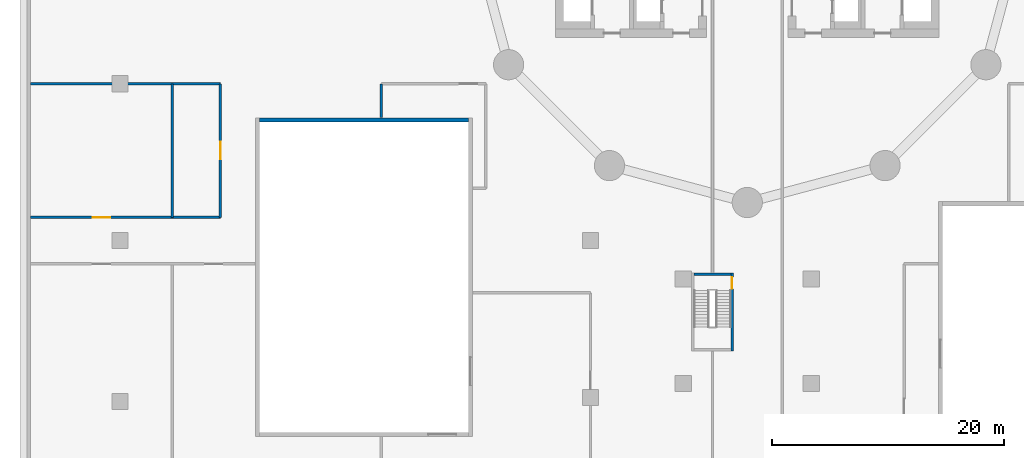
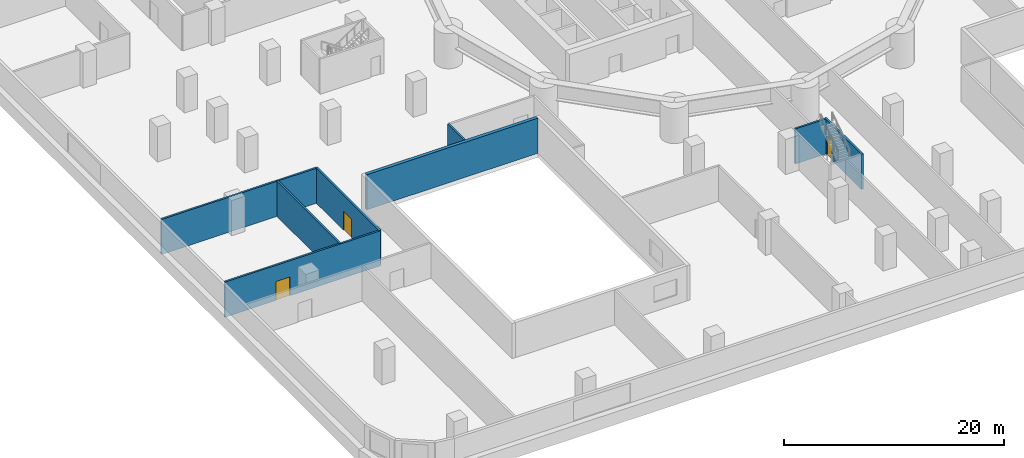
# One storey, part 3 of 16: 8 walls, 3 doors, 3 openings.
"""IFC4 building model written with IfcOpenShell, lengths in metres."""

from ifc_helpers import new_model, si_unit, direction, frame, frame_2d, origin, place, context, subcontext, project, spatial, rectangle, extrude, material, layer, layer_set, type_object, element, fill, save


model = new_model("IFC4")

# Units and contexts
model_context = context("Model", 3, precision=1e-05, world=origin(), true_north=direction((0.0, 1.0)))
body_context = subcontext(model_context, "Body", "Model", "MODEL_VIEW")
ifc_project = project(units=[si_unit("LENGTHUNIT", "METRE"), si_unit("AREAUNIT", "SQUARE_METRE"), si_unit("VOLUMEUNIT", "CUBIC_METRE"), si_unit("PLANEANGLEUNIT", "RADIAN"), si_unit("MASSUNIT", "GRAM", prefix="KILO")], contexts=[model_context])

# Site, building, storey
site_placement = place(None, origin())
site = spatial("IfcSite", under=ifc_project, at=site_placement, CompositionType="ELEMENT")
building_placement = place(site_placement, origin())
building = spatial("IfcBuilding", under=site, at=building_placement, Name="Tamarind Cross Interchange Tower", CompositionType="ELEMENT")
storey_placement = place(building_placement, frame((0.0, 0.0, 25.0)))
storey = spatial("IfcBuildingStorey", under=building, at=storey_placement, Name="L04", CompositionType="ELEMENT", Elevation=25.0)

# Wall, opening, door
ifc_material_1 = material(Name="Masonry partition, fire-rated", Category="masonry")
ifc_layer_1 = layer(ifc_material_1, 0.199951171875)
ifc_layer_set_1 = layer_set([ifc_layer_1], Name="Masonry partition, fire-rated")
wall_type_1 = type_object("IfcWallType", Name="Fire partition 200 EI 120", PredefinedType="PARTITIONING", material=ifc_layer_set_1)
wall_1_placement = place(storey_placement, frame((-61.698974609375, -25.0, 0.0), z_axis=(0.0, 0.0, 1.0), x_axis=(1.0, 0.0, 0.0)))
wall_1 = element("IfcWall", 1, at=wall_1_placement, inside=storey, type_object=wall_type_1, Name="L04 partition 6", PredefinedType="PARTITIONING", context=body_context, shape_type="SweptSolid", body=[
    extrude(rectangle(XDim=16.348876953125, YDim=0.199951171875, at=frame_2d((8.17431640625, 0.0))), origin(), (0.0, 0.0, 1.0), 3.89990234375),
])
opening_1_placement = place(wall_1_placement, frame((5.34912109375, 0.0, 0.0)))
opening_1 = element("IfcOpeningElement", 2, at=opening_1_placement, cuts=wall_1, Name="Opening DL04-16", PredefinedType="OPENING", context=body_context, shape_type="SweptSolid", body=[
    extrude(rectangle(XDim=1.5, YDim=2.10009765625, at=frame_2d((0.75, 1.050048828125))), frame((0.0, 0.10986328125, 0.0), z_axis=(0.0, -1.0, 0.0), x_axis=(1.0, 0.0, 0.0)), (0.0, 0.0, 1.0), 0.219970703125),
])
ifc_material_2 = material(Name="Steel, fire-resisting", Category="steel")
door_type_1 = type_object("IfcDoorType", Name="Podium door 1500 x 2100 FD90", OperationType="SINGLE_SWING_LEFT", PredefinedType="DOOR", material=ifc_material_2)
door_1_placement = place(opening_1_placement, origin())
door_1 = element("IfcDoor", 3, at=door_1_placement, inside=storey, type_object=door_type_1, Name="L04 door Smoke Extract Plant Room 0416", OperationType="SINGLE_SWING_RIGHT", OverallHeight=2.10009765625, OverallWidth=1.5, PredefinedType="DOOR", context=body_context, shape_type="SweptSolid", body=[
    extrude(rectangle(XDim=1.5, YDim=2.10009765625, at=frame_2d((0.75, 1.050048828125))), frame((0.0, 0.02490234375, 0.0), z_axis=(0.0, -1.0, 0.0), x_axis=(1.0, 0.0, 0.0)), (0.0, 0.0, 1.0), 0.050048828125),
])
fill(opening_1, door_1)

# Walls
wall_2_placement = place(storey_placement, frame((-61.698974609375, -13.5, 0.0), z_axis=(0.0, 0.0, 1.0), x_axis=(1.0, 0.0, 0.0)))
element("IfcWall", 4, at=wall_2_placement, inside=storey, type_object=wall_type_1, Name="L04 partition 7", PredefinedType="PARTITIONING", context=body_context, shape_type="SweptSolid", body=[
    extrude(rectangle(XDim=16.348876953125, YDim=0.199951171875, at=frame_2d((8.17431640625, 0.0))), origin(), (0.0, 0.0, 1.0), 3.89990234375),
])
wall_3_placement = place(storey_placement, frame((-49.5, -25.0, 0.0), z_axis=(0.0, 0.0, 1.0), x_axis=(0.0, 1.0, 0.0)))
element("IfcWall", 5, at=wall_3_placement, inside=storey, type_object=wall_type_1, Name="L04 partition 14", PredefinedType="PARTITIONING", context=body_context, shape_type="SweptSolid", body=[
    extrude(rectangle(XDim=11.5, YDim=0.199951171875, at=frame_2d((5.75, 0.0))), origin(), (0.0, 0.0, 1.0), 3.89990234375),
])

# Wall, opening, door
wall_4_placement = place(storey_placement, frame((-45.35009765625, -25.0, 0.0), z_axis=(0.0, 0.0, 1.0), x_axis=(0.0, 1.0, 0.0)))
wall_4 = element("IfcWall", 6, at=wall_4_placement, inside=storey, type_object=wall_type_1, Name="L04 partition 15", PredefinedType="PARTITIONING", context=body_context, shape_type="SweptSolid", body=[
    extrude(rectangle(XDim=11.5, YDim=0.199951171875, at=frame_2d((5.75, 0.0))), origin(), (0.0, 0.0, 1.0), 3.89990234375),
])
opening_2_placement = place(wall_4_placement, frame((5.0, 0.0, 0.0)))
opening_2 = element("IfcOpeningElement", 7, at=opening_2_placement, cuts=wall_4, Name="Opening DL04-20", PredefinedType="OPENING", context=body_context, shape_type="SweptSolid", body=[
    extrude(rectangle(XDim=1.5, YDim=2.10009765625, at=frame_2d((0.75, 1.050048828125))), frame((0.0, 0.10986328125, 0.0), z_axis=(0.0, -1.0, 0.0), x_axis=(1.0, 0.0, 0.0)), (0.0, 0.0, 1.0), 0.219970703125),
])
door_2_placement = place(opening_2_placement, origin())
door_2 = element("IfcDoor", 8, at=door_2_placement, inside=storey, type_object=door_type_1, Name="L04 door Transformer Room 0415", OperationType="SINGLE_SWING_RIGHT", OverallHeight=2.10009765625, OverallWidth=1.5, PredefinedType="DOOR", context=body_context, shape_type="SweptSolid", body=[
    extrude(rectangle(XDim=1.5, YDim=2.10009765625, at=frame_2d((0.75, 1.050048828125))), frame((0.0, 0.02490234375, 0.0), z_axis=(0.0, -1.0, 0.0), x_axis=(1.0, 0.0, 0.0)), (0.0, 0.0, 1.0), 0.050048828125),
])
fill(opening_2, door_2)

# Walls
wall_5_placement = place(storey_placement, frame((-31.5, -16.419921875, 0.0), z_axis=(0.0, 0.0, 1.0), x_axis=(0.0, 1.0, 0.0)))
element("IfcWall", 9, at=wall_5_placement, inside=storey, type_object=wall_type_1, Name="L04 partition 22", PredefinedType="PARTITIONING", context=body_context, shape_type="SweptSolid", body=[
    extrude(rectangle(XDim=2.919921875, YDim=0.199951171875, at=frame_2d((1.4599609375, 0.0))), origin(), (0.0, 0.0, 1.0), 3.89990234375),
])
ifc_material_3 = material(Name="Precast concrete C40", Category="concrete")
ifc_layer_2 = layer(ifc_material_3, 0.35009765625)
ifc_layer_set_2 = layer_set([ifc_layer_2], Name="Precast concrete C40")
wall_type_2 = type_object("IfcWallType", Name="Podium facade wall", PredefinedType="SOLIDWALL", material=ifc_layer_set_2)
wall_6_placement = place(storey_placement, frame((-42.0, -16.625, 0.0), z_axis=(0.0, 0.0, 1.0), x_axis=(1.0, 0.0, 0.0)))
element("IfcWall", 10, at=wall_6_placement, inside=storey, type_object=wall_type_2, Name="CTW-L04-SWN00", PredefinedType="SOLIDWALL", context=body_context, shape_type="SweptSolid", body=[
    extrude(rectangle(XDim=18.0, YDim=0.35009765625, at=frame_2d((9.0, 0.0))), origin(), (0.0, 0.0, 1.0), 3.89990234375),
])

# Wall, opening, door
ifc_material_4 = material(Name="Concrete C40", Category="concrete")
ifc_layer_3 = layer(ifc_material_4, 0.199951171875)
ifc_layer_set_3 = layer_set([ifc_layer_3], Name="Concrete C40")
wall_type_3 = type_object("IfcWallType", Name="Stair shaft wall 200 mm Concrete C40", PredefinedType="SHEAR", material=ifc_layer_set_3)
wall_7_placement = place(storey_placement, frame((-1.300048828125, -29.800048828125, 0.0), z_axis=(0.0, 0.0, 1.0), x_axis=(0.0, -1.0, 0.0)))
wall_7 = element("IfcWall", 11, at=wall_7_placement, inside=storey, type_object=wall_type_3, Name="Core wall CWL-L04-ST6-H", PredefinedType="SHEAR", context=body_context, shape_type="SweptSolid", body=[
    extrude(rectangle(XDim=6.699951171875, YDim=0.199951171875, at=frame_2d((3.35009765625, 0.0))), origin(), (0.0, 0.0, 1.0), 3.89990234375),
])
opening_3_placement = place(wall_7_placement, frame((0.35009765625, 0.0, 0.0)))
opening_3 = element("IfcOpeningElement", 12, at=opening_3_placement, cuts=wall_7, Name="Opening ST6L04", PredefinedType="OPENING", context=body_context, shape_type="SweptSolid", body=[
    extrude(rectangle(XDim=1.0, YDim=2.10009765625, at=frame_2d((0.5, 1.050048828125))), frame((0.0, 0.10986328125, 0.0), z_axis=(0.0, -1.0, 0.0), x_axis=(1.0, 0.0, 0.0)), (0.0, 0.0, 1.0), 0.219970703125),
])
door_type_2 = type_object("IfcDoorType", Name="Core fire door 1000 x 2100 FD90", OperationType="SINGLE_SWING_LEFT", PredefinedType="DOOR", material=ifc_material_2)
door_3_placement = place(opening_3_placement, origin())
door_3 = element("IfcDoor", 13, at=door_3_placement, inside=storey, type_object=door_type_2, Name="L04 stair door ST6", OperationType="SINGLE_SWING_LEFT", OverallHeight=2.10009765625, OverallWidth=1.0, PredefinedType="DOOR", context=body_context, shape_type="SweptSolid", body=[
    extrude(rectangle(XDim=1.0, YDim=2.10009765625, at=frame_2d((0.5, 1.050048828125))), frame((0.0, 0.02490234375, 0.0), z_axis=(0.0, -1.0, 0.0), x_axis=(1.0, 0.0, 0.0)), (0.0, 0.0, 1.0), 0.050048828125),
])
fill(opening_3, door_3)

# Wall
wall_8_placement = place(storey_placement, frame((-4.60009765625, -29.89990234375, 0.0), z_axis=(0.0, 0.0, 1.0), x_axis=(1.0, 0.0, 0.0)))
element("IfcWall", 14, at=wall_8_placement, inside=storey, type_object=wall_type_3, Name="Core wall CWL-L04-ST6-CE", PredefinedType="SHEAR", context=body_context, shape_type="SweptSolid", body=[
    extrude(rectangle(XDim=3.2001953125, YDim=0.199951171875, at=frame_2d((1.60009765625, 0.0))), origin(), (0.0, 0.0, 1.0), 3.89990234375),
])

save(model, "model.ifc")
